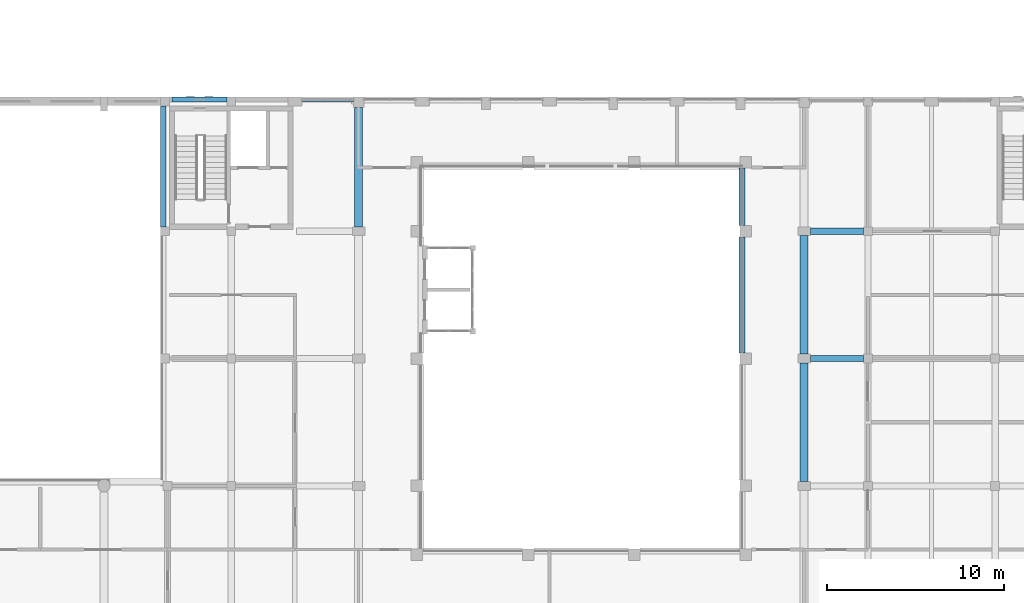
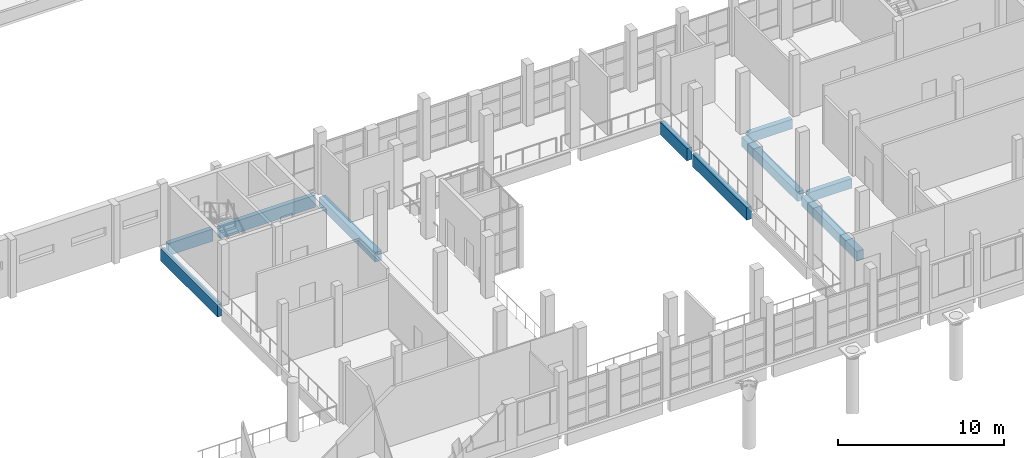
# One storey, part 7 of 59: 10 beams.
"""IFC4 building model written with IfcOpenShell, lengths in metres."""

import ifcopenshell
import ifcopenshell.guid

model = None  # the IFC model being written
_history = None  # IfcOwnerHistory: only IFC2X3 demands one
_inside = {}  # id of a spatial element -> (the spatial element, [elements in it])
_under = {}  # id of a project, library or spatial element -> (it, [spatial elements below it])
_declared = {}  # id of a project -> (the project, [libraries it declares])
_typed = {}  # id of a type object -> (the type object, [elements of that type])
_made_of = {}  # id of a material, layer set ... -> (it, [elements and type objects made of it])


def new_model(schema):
    """Start an empty IFC model of exactly this schema.

    Asked for "IFC4X3", IfcOpenShell would pick the latest addendum, in which some entities
    have other attributes; the version numbers below select the first issue.
    IFC2X3 requires an IfcOwnerHistory on every rooted entity: one is made here for all.
    """
    global model, _history
    if schema == "IFC4X3":
        model = ifcopenshell.file(schema_version=(4, 3, 0, 0))
    else:
        model = ifcopenshell.file(schema=schema)
    _inside.clear()
    _under.clear()
    _declared.clear()
    _typed.clear()
    _made_of.clear()
    _history = None
    if model.schema == "IFC2X3":
        org = make("IfcOrganization", Name="unknown")
        user = make(
            "IfcPersonAndOrganization",
            ThePerson=make("IfcPerson", FamilyName="unknown"),
            TheOrganization=org,
        )
        app = make(
            "IfcApplication",
            ApplicationDeveloper=org,
            Version="unknown",
            ApplicationFullName="unknown",
            ApplicationIdentifier="unknown",
        )
        _history = make(
            "IfcOwnerHistory",
            OwningUser=user,
            OwningApplication=app,
            ChangeAction="ADDED",
            CreationDate=0,
        )
    return model


def make(cls, **values):
    """One entity of the class cls with the attributes given. An attribute that is None is left unset."""
    return model.create_entity(
        cls, **{name: value for name, value in values.items() if value is not None}
    )


def rooted(cls, **values):
    """An entity with a GlobalId (a new one), such as an element, a storey or a relation."""
    return make(cls, GlobalId=ifcopenshell.guid.new(), OwnerHistory=_history, **values)


def si_unit(unit_type, name, prefix=None):
    """IfcSIUnit, for example si_unit("LENGTHUNIT", "METRE", prefix="MILLI")."""
    return make("IfcSIUnit", UnitType=unit_type, Prefix=prefix, Name=name)


def assignment(units):
    """IfcUnitAssignment: the units of a project."""
    return None if units is None else make("IfcUnitAssignment", Units=units)


def point(xyz):
    """IfcCartesianPoint."""
    return None if xyz is None else make("IfcCartesianPoint", Coordinates=xyz)


def direction(xyz):
    """IfcDirection."""
    return None if xyz is None else make("IfcDirection", DirectionRatios=xyz)


def frame(location, z_axis=None, x_axis=None):
    """IfcAxis2Placement3D, a coordinate frame: its origin and axes. An axis left out is left unset."""
    return make(
        "IfcAxis2Placement3D",
        Location=point(location),
        Axis=direction(z_axis),
        RefDirection=direction(x_axis),
    )


def frame_2d(location, x_axis=None):
    """IfcAxis2Placement2D, a coordinate frame in the plane: its origin and x axis."""
    return make(
        "IfcAxis2Placement2D", Location=point(location), RefDirection=direction(x_axis)
    )


def origin():
    """The frame at (0, 0, 0) with its axes left unset."""
    return frame((0.0, 0.0, 0.0))


def origin_2d():
    """The frame at (0, 0) in the plane with its x axis left unset."""
    return frame_2d((0.0, 0.0))


def place(relative_to, where):
    """IfcLocalPlacement: puts the frame where relative to a parent placement (None: the world)."""
    return make(
        "IfcLocalPlacement", PlacementRelTo=relative_to, RelativePlacement=where
    )


def context(
    kind, dimensions, precision=None, world=None, true_north=None, identifier=None
):
    """IfcGeometricRepresentationContext, for example the 3D "Model" context."""
    return make(
        "IfcGeometricRepresentationContext",
        ContextIdentifier=identifier,
        ContextType=kind,
        CoordinateSpaceDimension=dimensions,
        Precision=precision,
        WorldCoordinateSystem=world,
        TrueNorth=true_north,
    )


def subcontext(parent, identifier, kind, view, scale=None):
    """IfcGeometricRepresentationSubContext, for example "Body" below "Model"."""
    return make(
        "IfcGeometricRepresentationSubContext",
        ContextIdentifier=identifier,
        ContextType=kind,
        ParentContext=parent,
        TargetScale=scale,
        TargetView=view,
    )


def project(units=None, contexts=None):
    """IfcProject with its units and contexts."""
    return rooted(
        "IfcProject",
        Name="project",
        RepresentationContexts=contexts,
        UnitsInContext=assignment(units),
    )


def spatial(cls, under=None, at=None, **own):
    """A site, building, storey or space (cls), placed at a placement, below another one or the project."""
    s = rooted(cls, ObjectPlacement=at, **own)
    if under is not None:
        _under.setdefault(under.id(), (under, []))[1].append(s)
    return s


def profile(cls, at=None, kind="AREA", **sizes):
    """A parametric profile (cls). Its sizes go by their IFC names, for example OverallWidth=200.0."""
    return make(cls, ProfileType=kind, Position=at, **sizes)


def rectangle(**sizes):
    """IfcRectangleProfileDef."""
    return profile("IfcRectangleProfileDef", **sizes)


def extrude(swept, where, along, depth):
    """IfcExtrudedAreaSolid: the profile swept, set in the frame where, extruded along a direction by depth."""
    return make(
        "IfcExtrudedAreaSolid",
        SweptArea=swept,
        Position=where,
        ExtrudedDirection=direction(along),
        Depth=depth,
    )


def shape(context_of_items, identifier, shape_type, items):
    """IfcShapeRepresentation: the items that make up one representation, for example the "Body"."""
    return make(
        "IfcShapeRepresentation",
        ContextOfItems=context_of_items,
        RepresentationIdentifier=identifier,
        RepresentationType=shape_type,
        Items=items,
    )


def material(Name=None, Category=None):
    """IfcMaterial."""
    return make("IfcMaterial", Name=Name, Category=Category)


def material_profile(
    of_material, cross_section, Name=None, Category=None, Priority=None
):
    """IfcMaterialProfile: a cross section and its material."""
    return make(
        "IfcMaterialProfile",
        Name=Name,
        Material=of_material,
        Profile=cross_section,
        Priority=Priority,
        Category=Category,
    )


def profile_set(profiles, Name=None, composite=None):
    """IfcMaterialProfileSet."""
    return make(
        "IfcMaterialProfileSet",
        Name=Name,
        MaterialProfiles=profiles,
        CompositeProfile=composite,
    )


def made_of(thing, what):
    """Note that an element or type object is made of a material, layer set ...; save() writes the relation."""
    if what is not None:
        _made_of.setdefault(what.id(), (what, []))[1].append(thing)
    return thing


def type_object(cls, material=None, **own):
    """A type object (cls), such as IfcWallType, which elements share."""
    return made_of(rooted(cls, **own), material)


def element(
    cls,
    number,
    at=None,
    inside=None,
    cuts=None,
    type_object=None,
    material=None,
    context=None,
    identifier="Body",
    shape_type=None,
    held_by="IfcProductDefinitionShape",
    body=None,
    shapes=None,
    **own,
):
    """One element of the class cls, such as IfcWall. Its Tag is "e" and its number.

    at: its placement. inside: the storey or other place that contains it. cuts: it is an
    opening in that element (IfcRelVoidsElement). A single representation is given by context,
    identifier, shape_type and body (its items); several are given by shapes. held_by: the class
    of the entity that holds the representations. save() writes the other relations.
    """
    e = rooted(cls, Tag="e%d" % number, ObjectPlacement=at, **own)
    if body is not None:
        shapes = [shape(context, identifier, shape_type, body)]
    if shapes is not None:
        e.Representation = make(held_by, Representations=shapes)
    if inside is not None:
        _inside.setdefault(inside.id(), (inside, []))[1].append(e)
    if cuts is not None:
        rooted(
            "IfcRelVoidsElement", RelatingBuildingElement=cuts, RelatedOpeningElement=e
        )
    if type_object is not None:
        _typed.setdefault(type_object.id(), (type_object, []))[1].append(e)
    return made_of(e, material)


def aggregate(whole, parts):
    """IfcRelAggregates: a whole, such as a stair, and the parts it consists of."""
    return rooted("IfcRelAggregates", RelatingObject=whole, RelatedObjects=parts)


def save(model, path):
    """Write the relations noted so far, then the file.

    IfcRelAggregates (storeys below a building ...), IfcRelContainedInSpatialStructure (elements
    in a storey), IfcRelDefinesByType, IfcRelAssociatesMaterial and IfcRelDeclares: one each for
    every whole, place, type object, material and project.
    """
    for whole, parts in _under.values():
        aggregate(whole, parts)
    for where, things in _inside.values():
        rooted(
            "IfcRelContainedInSpatialStructure",
            RelatedElements=things,
            RelatingStructure=where,
        )
    for kind, things in _typed.values():
        rooted("IfcRelDefinesByType", RelatedObjects=things, RelatingType=kind)
    for what, things in _made_of.values():
        rooted("IfcRelAssociatesMaterial", RelatedObjects=things, RelatingMaterial=what)
    for by, libraries in _declared.values():
        rooted("IfcRelDeclares", RelatingContext=by, RelatedDefinitions=libraries)
    model.write(path)


model = new_model("IFC4")

# Units and contexts
model_context = context("Model", 3, precision=1e-05, world=origin(), true_north=direction((0.0, 1.0)))
body_context = subcontext(model_context, "Body", "Model", "MODEL_VIEW")
ifc_project = project(units=[si_unit("LENGTHUNIT", "METRE"), si_unit("AREAUNIT", "SQUARE_METRE"), si_unit("VOLUMEUNIT", "CUBIC_METRE"), si_unit("PLANEANGLEUNIT", "RADIAN"), si_unit("MASSUNIT", "GRAM", prefix="KILO")], contexts=[model_context])

# Site, building, storey
site_placement = place(None, origin())
site = spatial("IfcSite", under=ifc_project, at=site_placement, CompositionType="ELEMENT")
building_placement = place(site_placement, origin())
building = spatial("IfcBuilding", under=site, at=building_placement, Name="Ussher Court Research Institute", CompositionType="ELEMENT")
storey_placement = place(building_placement, frame((0.0, 0.0, 5.39990234375)))
storey = spatial("IfcBuildingStorey", under=building, at=storey_placement, Name="L01", CompositionType="ELEMENT", Elevation=5.39990234375)

# Beams
ifc_material_1 = material(Name="Concrete C35/45", Category="concrete")
ifc_material_profile_1 = material_profile(ifc_material_1, rectangle(XDim=0.300048828125, YDim=0.89990234375, at=origin_2d()), Name="RC 300x900")
ifc_profile_set_1 = profile_set([ifc_material_profile_1], Name="Concrete C35/45")
beam_type_1 = type_object("IfcBeamType", Name="RC 300x900 beam", PredefinedType="BEAM", material=ifc_profile_set_1)
beam_1_placement = place(storey_placement, frame((28.449951171875, 40.25, -0.64990234375), z_axis=(1.0, 0.0, 0.0), x_axis=(0.0, 1.0, 0.0)))
element("IfcBeam", 1, at=beam_1_placement, inside=storey, type_object=beam_type_1, Name="SB2 V7 L01-06", PredefinedType="BEAM", context=body_context, shape_type="SweptSolid", body=[
    extrude(rectangle(XDim=0.300048828125, YDim=0.89990234375, at=origin_2d()), origin(), (0.0, 0.0, 1.0), 3.10009765625),
])
beam_2_placement = place(storey_placement, frame((32.050048828125, 40.25, -0.64990234375), z_axis=(1.0, 0.0, 0.0), x_axis=(0.0, 1.0, 0.0)))
element("IfcBeam", 2, at=beam_2_placement, inside=storey, type_object=beam_type_1, Name="SB2 V7 L01-07", PredefinedType="BEAM", context=body_context, shape_type="SweptSolid", body=[
    extrude(rectangle(XDim=0.300048828125, YDim=0.89990234375, at=origin_2d()), origin(), (0.0, 0.0, 1.0), 6.64990234375),
])
beam_3_placement = place(storey_placement, frame((27.949951171875, 33.050048828125, -0.64990234375), z_axis=(0.0, 1.0, 0.0), x_axis=(-1.0, 0.0, 0.0)))
element("IfcBeam", 3, at=beam_3_placement, inside=storey, type_object=beam_type_1, Name="SB2 V7 L01-13", PredefinedType="BEAM", context=body_context, shape_type="SweptSolid", body=[
    extrude(rectangle(XDim=0.300048828125, YDim=0.89990234375, at=origin_2d()), origin(), (0.0, 0.0, 1.0), 6.849853515625),
])
ifc_material_2 = material(Name="Concrete C35/45", Category="concrete")
ifc_material_profile_2 = material_profile(ifc_material_2, rectangle(XDim=0.35009765625, YDim=0.699951171875, at=origin_2d()), Name="RC 350x700")
ifc_profile_set_2 = profile_set([ifc_material_profile_2], Name="Concrete C35/45")
beam_type_2 = type_object("IfcBeamType", Name="RC 350x700 beam", PredefinedType="BEAM", material=ifc_profile_set_2)
for number, where, z_axis, x_axis, name in (
    (4, (64.550048828125, 25.60009765625, -0.5498046875), (1.0, 0.0, 0.0), (0.0, 1.0, 0.0), "B16 V7 L01-08"),
    (5, (64.550048828125, 32.800048828125, -0.5498046875), (1.0, 0.0, 0.0), (0.0, 1.0, 0.0), "B16 V7 L01-12"),
):
    element("IfcBeam", number, at=place(storey_placement, frame(where, z_axis=z_axis, x_axis=x_axis)), inside=storey, type_object=beam_type_2, Name=name, PredefinedType="BEAM", context=body_context, shape_type="SweptSolid", body=[
        extrude(rectangle(XDim=0.35009765625, YDim=0.699951171875, at=origin_2d()), origin(), (0.0, 0.0, 1.0), 3.0),
    ])
ifc_material_3 = material(Name="Concrete C35/45", Category="concrete")
ifc_material_profile_3 = material_profile(ifc_material_3, rectangle(XDim=0.35009765625, YDim=0.89990234375, at=origin_2d()), Name="RC 350x900")
ifc_profile_set_3 = profile_set([ifc_material_profile_3], Name="Concrete C35/45")
beam_type_3 = type_object("IfcBeamType", Name="RC 350x900 beam", PredefinedType="BEAM", material=ifc_profile_set_3)
beam_4_placement = place(storey_placement, frame((60.675048828125, 25.925048828125, -0.64990234375), z_axis=(0.0, 1.0, 0.0), x_axis=(-1.0, 0.0, 0.0)))
element("IfcBeam", 6, at=beam_4_placement, inside=storey, type_object=beam_type_3, Name="SB1 V2 L01-15", PredefinedType="BEAM", context=body_context, shape_type="SweptSolid", body=[
    extrude(rectangle(XDim=0.35009765625, YDim=0.89990234375, at=origin_2d()), origin(), (0.0, 0.0, 1.0), 6.550048828125),
])
beam_5_placement = place(storey_placement, frame((60.675048828125, 33.125, -0.64990234375), z_axis=(0.0, 1.0, 0.0), x_axis=(-1.0, 0.0, 0.0)))
element("IfcBeam", 7, at=beam_5_placement, inside=storey, type_object=beam_type_3, Name="SB1 V2 L01-16", PredefinedType="BEAM", context=body_context, shape_type="SweptSolid", body=[
    extrude(rectangle(XDim=0.35009765625, YDim=0.89990234375, at=origin_2d()), origin(), (0.0, 0.0, 1.0), 3.25),
])
ifc_material_4 = material(Name="Concrete C35/45", Category="concrete")
ifc_material_profile_4 = material_profile(ifc_material_4, rectangle(XDim=0.449951171875, YDim=0.699951171875, at=origin_2d()), Name="RC 450x700")
ifc_profile_set_4 = profile_set([ifc_material_profile_4], Name="Concrete C35/45")
beam_type_4 = type_object("IfcBeamType", Name="RC 450x700 beam", PredefinedType="BEAM", material=ifc_profile_set_4)
beam_6_placement = place(storey_placement, frame((39.0, 33.050048828125, -0.5498046875), z_axis=(0.0, 1.0, 0.0), x_axis=(-1.0, 0.0, 0.0)))
element("IfcBeam", 8, at=beam_6_placement, inside=storey, type_object=beam_type_4, Name="B10 V2 L01-04", PredefinedType="BEAM", context=body_context, shape_type="SweptSolid", body=[
    extrude(rectangle(XDim=0.449951171875, YDim=0.699951171875, at=origin_2d()), origin(), (0.0, 0.0, 1.0), 6.75),
])
beam_7_placement = place(storey_placement, frame((64.199951171875, 18.64990234375, -0.5498046875), z_axis=(0.0, 1.0, 0.0), x_axis=(-1.0, 0.0, 0.0)))
element("IfcBeam", 9, at=beam_7_placement, inside=storey, type_object=beam_type_4, Name="B10 V2 L01-06", PredefinedType="BEAM", context=body_context, shape_type="SweptSolid", body=[
    extrude(rectangle(XDim=0.449951171875, YDim=0.699951171875, at=origin_2d()), origin(), (0.0, 0.0, 1.0), 6.7001953125),
])
beam_8_placement = place(storey_placement, frame((64.199951171875, 25.85009765625, -0.5498046875), z_axis=(0.0, 1.0, 0.0), x_axis=(-1.0, 0.0, 0.0)))
element("IfcBeam", 10, at=beam_8_placement, inside=storey, type_object=beam_type_4, Name="B10 V2 L01-07", PredefinedType="BEAM", context=body_context, shape_type="SweptSolid", body=[
    extrude(rectangle(XDim=0.449951171875, YDim=0.699951171875, at=origin_2d()), origin(), (0.0, 0.0, 1.0), 6.699951171875),
])

save(model, "model.ifc")
